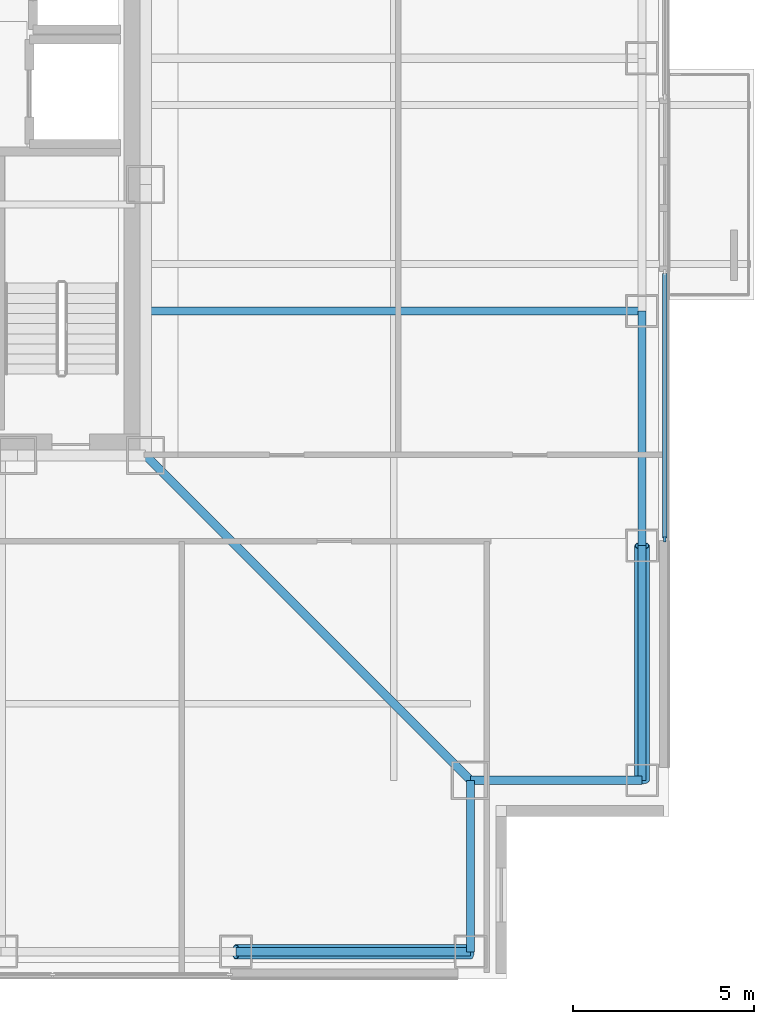
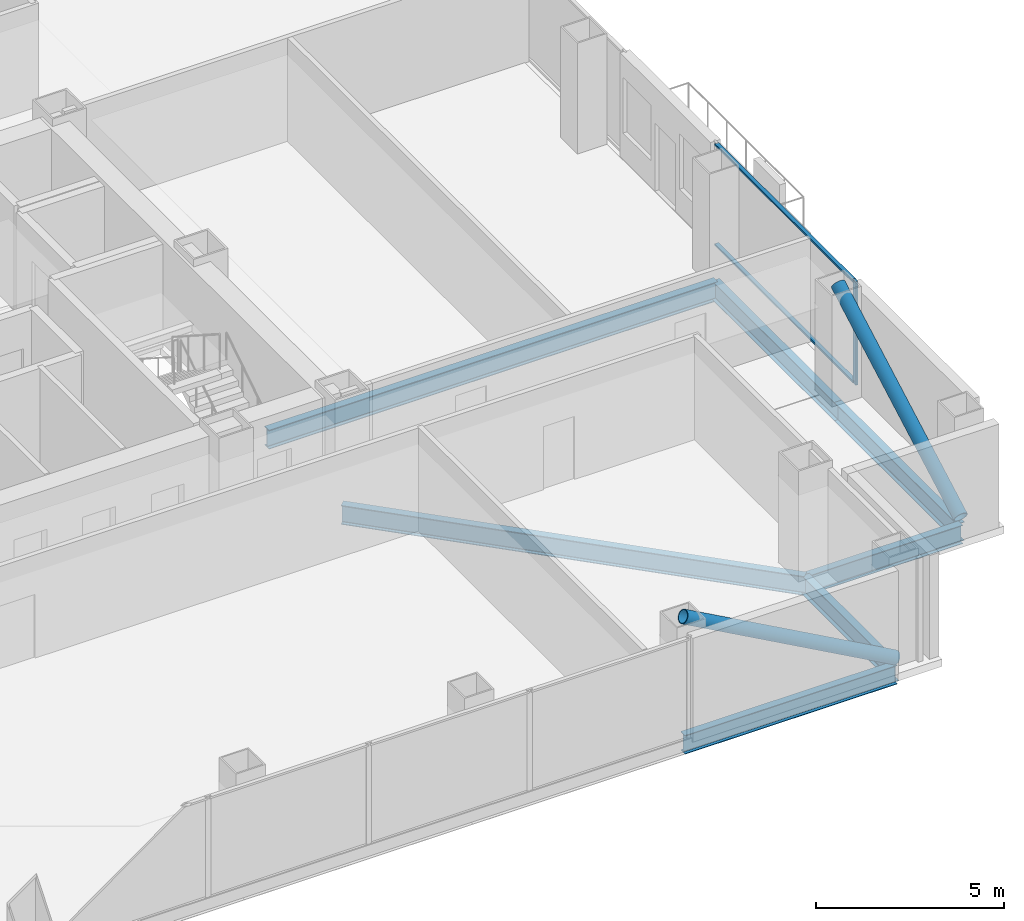
# One storey, part 6 of 16: 7 beams, 5 members, 1 element without a shape of its own.
"""IFC4 building model written with IfcOpenShell, lengths in metres."""

from ifc_helpers import new_model, si_unit, direction, frame, origin, origin_2d, place, context, subcontext, project, spatial, rectangle, hollow_circle, i_section, extrude, material, layer, layer_set, material_profile, profile_set, type_object, element, aggregate, save


model = new_model("IFC4")

# Units and contexts
model_context = context("Model", 3, precision=1e-05, world=origin(), true_north=direction((0.0, 1.0)))
body_context = subcontext(model_context, "Body", "Model", "MODEL_VIEW")
ifc_project = project(units=[si_unit("LENGTHUNIT", "METRE"), si_unit("AREAUNIT", "SQUARE_METRE"), si_unit("VOLUMEUNIT", "CUBIC_METRE"), si_unit("PLANEANGLEUNIT", "RADIAN"), si_unit("MASSUNIT", "GRAM", prefix="KILO")], contexts=[model_context])

# Site, building, storey
site_placement = place(None, origin())
site = spatial("IfcSite", under=ifc_project, at=site_placement, CompositionType="ELEMENT")
building_placement = place(site_placement, origin())
building = spatial("IfcBuilding", under=site, at=building_placement, Name="Trevonay Congress Spire", CompositionType="ELEMENT")
storey_placement = place(building_placement, frame((0.0, 0.0, 144.39990234375)))
storey = spatial("IfcBuildingStorey", under=building, at=storey_placement, Name="L37", CompositionType="ELEMENT", Elevation=144.39990234375)

# Beams
ifc_material_1 = material(Name="Steel ASTM A572 Grade 50", Category="steel")
ifc_material_profile_1 = material_profile(ifc_material_1, i_section(OverallWidth=0.22998046875, OverallDepth=0.616943359375, WebThickness=0.01318359375, FlangeThickness=0.022216796875, FilletRadius=0.01611328125, at=origin_2d()), Name="W610x140")
ifc_profile_set_1 = profile_set([ifc_material_profile_1], Name="Steel ASTM A572 Grade 50")
beam_type_1 = type_object("IfcBeamType", Name="BM-GIRD-W610X140", PredefinedType="BEAM", material=ifc_profile_set_1)
beam_1_placement = place(storey_placement, frame((7.5, -7.5, -0.54833984375), z_axis=(0.707106781187, -0.707106781187, 0.0), x_axis=(0.707106781187, 0.707106781187, 0.0)))
element("IfcBeam", 1, at=beam_1_placement, inside=storey, type_object=beam_type_1, Name="L37 structural beam BM-L37-CDSE", PredefinedType="BEAM", context=body_context, shape_type="SweptSolid", body=[
    extrude(i_section(OverallWidth=0.22998046875, OverallDepth=0.616943359375, WebThickness=0.01318359375, FlangeThickness=0.022216796875, FilletRadius=0.01611328125, at=origin_2d()), origin(), (0.0, 0.0, 1.0), 12.72802734375),
])
beam_2_placement = place(storey_placement, frame((7.5, -3.5, -0.54833984375), z_axis=(1.0, 0.0, 0.0), x_axis=(0.0, 1.0, 0.0)))
element("IfcBeam", 2, at=beam_2_placement, inside=storey, type_object=beam_type_1, Name="L37 structural beam BM-L37-GE-M", PredefinedType="BEAM", context=body_context, shape_type="SweptSolid", body=[
    extrude(i_section(OverallWidth=0.22998046875, OverallDepth=0.616943359375, WebThickness=0.01318359375, FlangeThickness=0.022216796875, FilletRadius=0.01611328125, at=origin_2d()), origin(), (0.0, 0.0, 1.0), 13.75),
])
ifc_material_profile_2 = material_profile(ifc_material_1, i_section(OverallWidth=0.22802734375, OverallDepth=0.60791015625, WebThickness=0.01123046875, FlangeThickness=0.017333984375, FilletRadius=0.01611328125, at=origin_2d()), Name="W610x113")
ifc_profile_set_2 = profile_set([ifc_material_profile_2], Name="Steel ASTM A572 Grade 50")
beam_type_2 = type_object("IfcBeamType", Name="BM-RING-W610X113", PredefinedType="BEAM", material=ifc_profile_set_2)
for number, where, z_axis, x_axis, name in (
    (3, (21.25, -16.5, -0.5439453125), (0.0, 1.0, 0.0), (-1.0, 0.0, 0.0), "L37 structural beam BM-L37-PE1"),
    (4, (21.25, -10.0, -0.5439453125), (0.0, 1.0, 0.0), (-1.0, 0.0, 0.0), "L37 structural beam BM-L37-PE2"),
    (5, (10.0, -21.25, -0.5439453125), (1.0, 0.0, 0.0), (0.0, 1.0, 0.0), "L37 structural beam BM-L37-PS5"),
):
    element("IfcBeam", number, at=place(storey_placement, frame(where, z_axis=z_axis, x_axis=x_axis)), inside=storey, type_object=beam_type_2, Name=name, PredefinedType="BEAM", context=body_context, shape_type="SweptSolid", body=[
        extrude(i_section(OverallWidth=0.22802734375, OverallDepth=0.60791015625, WebThickness=0.01123046875, FlangeThickness=0.017333984375, FilletRadius=0.01611328125, at=origin_2d()), origin(), (0.0, 0.0, 1.0), 6.5),
    ])
for number, where, z_axis, x_axis, name in (
    (6, (16.5, -21.25, -0.5439453125), (0.0, 1.0, 0.0), (-1.0, 0.0, 0.0), "L37 structural beam BM-L37-N1SE"),
    (7, (21.25, -16.5, -0.5439453125), (-1.0, 0.0, 0.0), (0.0, -1.0, 0.0), "L37 structural beam BM-L37-N2SE"),
):
    element("IfcBeam", number, at=place(storey_placement, frame(where, z_axis=z_axis, x_axis=x_axis)), inside=storey, type_object=beam_type_2, Name=name, PredefinedType="BEAM", context=body_context, shape_type="SweptSolid", body=[
        extrude(i_section(OverallWidth=0.22802734375, OverallDepth=0.60791015625, WebThickness=0.01123046875, FlangeThickness=0.017333984375, FilletRadius=0.01611328125, at=origin_2d()), origin(), (0.0, 0.0, 1.0), 4.75),
    ])

# Curtain wall, members
ifc_material_2 = material(Name="Pale Anodised Aluminium EN AW-6063-T6", Category="aluminium")
ifc_layer = layer(ifc_material_2, 0.175048828125, Name="Pale Anodised Aluminium EN AW-6063-T6")
ifc_layer_set = layer_set([ifc_layer], Name="Pale Anodised Aluminium EN AW-6063-T6")
curtain_wall_type = type_object("IfcCurtainWallType", Name="CW-SYS03-CONGRESS-PALE-METAL", PredefinedType="NOTDEFINED", material=ifc_layer_set)
curtain_wall_placement = place(storey_placement, origin())
curtain_wall = element("IfcCurtainWall", 8, at=curtain_wall_placement, inside=storey, type_object=curtain_wall_type, Name="L37 EA unitised curtain wall", PredefinedType="NOTDEFINED")
ifc_material_profile_3 = material_profile(ifc_material_2, rectangle(XDim=0.06005859375, YDim=0.159912109375, at=origin_2d()), Name="CW-MULLION-160-ALUMINIUM")
ifc_profile_set_3 = profile_set([ifc_material_profile_3], Name="Pale Anodised Aluminium EN AW-6063-T6")
member_type_1 = type_object("IfcMemberType", Name="CW-MULLION-160-ALUMINIUM", PredefinedType="MULLION", material=ifc_profile_set_3)
member_1_placement = place(storey_placement, frame((21.8798828125, -9.820068359375, 0.0), z_axis=(0.0, 0.0, 1.0), x_axis=(-1.0, 0.0, 0.0)))
member_1 = element("IfcMember", 9, at=member_1_placement, type_object=member_type_1, Name="CW03 mullion 1", PredefinedType="MULLION", context=body_context, shape_type="SweptSolid", body=[
    extrude(rectangle(XDim=0.06005859375, YDim=0.159912109375, at=origin_2d()), origin(), (0.0, 0.0, 1.0), 3.360107421875),
])
ifc_material_profile_4 = material_profile(ifc_material_2, rectangle(XDim=0.1201171875, YDim=0.06005859375, at=origin_2d()), Name="CW-TRANSOM-120-ALUMINIUM")
ifc_profile_set_4 = profile_set([ifc_material_profile_4], Name="Pale Anodised Aluminium EN AW-6063-T6")
member_type_2 = type_object("IfcMemberType", Name="CW-TRANSOM-120-ALUMINIUM", PredefinedType="USERDEFINED", material=ifc_profile_set_4)
member_2_placement = place(storey_placement, frame((21.8798828125, -9.7900390625, 0.06005859375), z_axis=(0.0, 1.0, 0.0), x_axis=(-1.0, 0.0, 0.0)))
member_2 = element("IfcMember", 10, at=member_2_placement, type_object=member_type_2, Name="CW03 transom 1.1", ObjectType="TRANSOM", PredefinedType="USERDEFINED", context=body_context, shape_type="SweptSolid", body=[
    extrude(rectangle(XDim=0.1201171875, YDim=0.06005859375, at=origin_2d()), origin(), (0.0, 0.0, 1.0), 7.330078125),
])
member_3_placement = place(storey_placement, frame((21.8798828125, -9.7900390625, 3.300048828125), z_axis=(0.0, 1.0, 0.0), x_axis=(-1.0, 0.0, 0.0)))
member_3 = element("IfcMember", 11, at=member_3_placement, type_object=member_type_2, Name="CW03 transom 1.2", ObjectType="TRANSOM", PredefinedType="USERDEFINED", context=body_context, shape_type="SweptSolid", body=[
    extrude(rectangle(XDim=0.1201171875, YDim=0.06005859375, at=origin_2d()), origin(), (0.0, 0.0, 1.0), 7.330078125),
])
aggregate(curtain_wall, [member_1, member_2, member_3])

# Members
ifc_material_3 = material(Name="Steel ASTM A500 Grade C", Category="steel")
ifc_material_profile_5 = material_profile(ifc_material_3, hollow_circle(Radius=0.203125, WallThickness=0.02001953125, at=origin_2d()), Name="CHS 406.4x20")
ifc_profile_set_5 = profile_set([ifc_material_profile_5], Name="Steel ASTM A500 Grade C")
member_type_3 = type_object("IfcMemberType", Name="MBR-TUBE-CHS406", PredefinedType="BRACE", material=ifc_profile_set_5)
for number, where, z_axis, x_axis, name in (
    (12, (16.5, -21.25, -0.0498046875), (-0.874799711691, 0.0, 0.484484741169), (0.0, -1.0, 0.0), "L37 perimeter braced-tube diagonal S4"),
    (13, (21.25, -16.5, -0.0498046875), (0.0, 0.874799711691, 0.484484741169), (-1.0, 0.0, 0.0), "L37 perimeter braced-tube diagonal E0"),
):
    element("IfcMember", number, at=place(storey_placement, frame(where, z_axis=z_axis, x_axis=x_axis)), inside=storey, type_object=member_type_3, Name=name, PredefinedType="BRACE", context=body_context, shape_type="SweptSolid", body=[
        extrude(hollow_circle(Radius=0.203125, WallThickness=0.02001953125, at=origin_2d()), origin(), (0.0, 0.0, 1.0), 7.43017578125),
    ])

save(model, "model.ifc")
